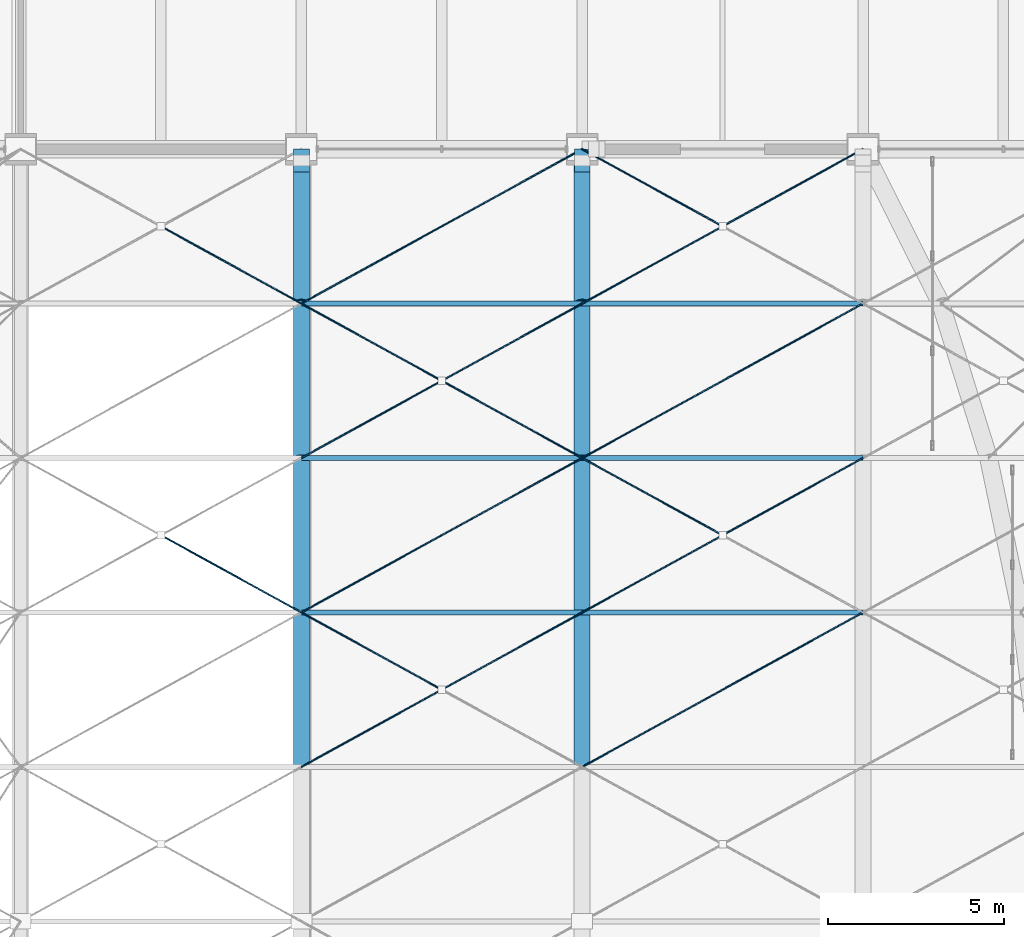
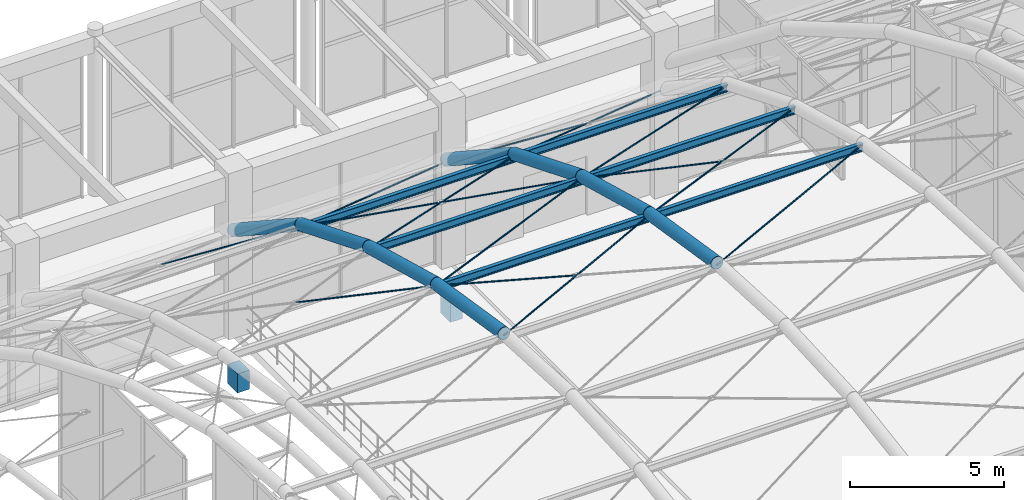
# One storey, part 61 of 163: 16 beams, 15 members.
"""IFC4 building model written with IfcOpenShell, lengths in metres."""

from ifc_helpers import new_model, si_unit, direction, frame, origin, origin_2d, place, context, subcontext, project, spatial, rectangle, circle, hollow_circle, i_section, extrude, material, material_profile, profile_set, type_object, element, save


model = new_model("IFC4")

# Units and contexts
model_context = context("Model", 3, precision=1e-05, world=origin(), true_north=direction((0.0, 1.0)))
body_context = subcontext(model_context, "Body", "Model", "MODEL_VIEW")
ifc_project = project(units=[si_unit("LENGTHUNIT", "METRE"), si_unit("AREAUNIT", "SQUARE_METRE"), si_unit("VOLUMEUNIT", "CUBIC_METRE"), si_unit("PLANEANGLEUNIT", "RADIAN"), si_unit("MASSUNIT", "GRAM", prefix="KILO")], contexts=[model_context])

# Site, building, storey
site_placement = place(None, origin())
site = spatial("IfcSite", under=ifc_project, at=site_placement, CompositionType="ELEMENT")
building_placement = place(site_placement, origin())
building = spatial("IfcBuilding", under=site, at=building_placement, Name="Varnabhumi Central Station", CompositionType="ELEMENT")
storey_placement = place(building_placement, frame((0.0, 0.0, 9.60009765625)))
storey = spatial("IfcBuildingStorey", under=building, at=storey_placement, Name="L02", CompositionType="ELEMENT", Elevation=9.60009765625)

# Beams
ifc_material_1 = material(Name="Structural steel E450", Category="steel")
ifc_material_profile_1 = material_profile(ifc_material_1, hollow_circle(Radius=0.228515625, WallThickness=0.01611328125, at=origin_2d()), Name="Structural steel E450", Category="steel")
ifc_profile_set_1 = profile_set([ifc_material_profile_1], Name="Structural steel E450")
beam_type_1 = type_object("IfcBeamType", Name="BM-ARCH-CHS457", PredefinedType="BEAM", material=ifc_profile_set_1)
beam_1_placement = place(storey_placement, frame((56.0, 62.39990234375, 10.520263671875), z_axis=(0.0, 0.987684638155, -0.156457839535), x_axis=(-1.0, 0.0, 0.0)))
element("IfcBeam", 1, at=beam_1_placement, inside=storey, type_object=beam_type_1, Name="Ticket Hall Vault Arch Rib 3 Seg 7", PredefinedType="BEAM", context=body_context, shape_type="SweptSolid", body=[
    extrude(hollow_circle(Radius=0.228515625, WallThickness=0.01611328125, at=origin_2d()), origin(), (0.0, 0.0, 1.0), 4.455078125),
])
beam_2_placement = place(storey_placement, frame((56.0, 66.800048828125, 9.8232421875), z_axis=(0.0, 0.965022848722, -0.262165789998), x_axis=(-1.0, 0.0, 0.0)))
element("IfcBeam", 2, at=beam_2_placement, inside=storey, type_object=beam_type_1, Name="Ticket Hall Vault Arch Rib 3 Seg 8", PredefinedType="BEAM", context=body_context, shape_type="SweptSolid", body=[
    extrude(hollow_circle(Radius=0.228515625, WallThickness=0.01611328125, at=origin_2d()), origin(), (0.0, 0.0, 1.0), 4.559326171875),
])
beam_3_placement = place(storey_placement, frame((56.0, 71.199951171875, 8.6279296875), z_axis=(0.0, 0.926804098242, -0.37554515505), x_axis=(-1.0, 0.0, 0.0)))
element("IfcBeam", 3, at=beam_3_placement, inside=storey, type_object=beam_type_1, Name="Ticket Hall Vault Arch Rib 3 Seg 9", PredefinedType="BEAM", context=body_context, shape_type="SweptSolid", body=[
    extrude(hollow_circle(Radius=0.228515625, WallThickness=0.01611328125, at=origin_2d()), origin(), (0.0, 0.0, 1.0), 4.74755859375),
])
beam_4_placement = place(storey_placement, frame((56.0, 75.60009765625, 6.844970703125), z_axis=(0.0, 0.835386835677, -0.549662473503), x_axis=(-1.0, 0.0, 0.0)))
element("IfcBeam", 4, at=beam_4_placement, inside=storey, type_object=beam_type_1, Name="Ticket Hall Vault Arch Rib 3 Seg 10", PredefinedType="BEAM", context=body_context, shape_type="SweptSolid", body=[
    extrude(hollow_circle(Radius=0.228515625, WallThickness=0.01611328125, at=origin_2d()), origin(), (0.0, 0.0, 1.0), 5.266845703125),
])
beam_5_placement = place(storey_placement, frame((64.0, 62.39990234375, 10.520263671875), z_axis=(0.0, 0.987684638155, -0.156457839535), x_axis=(-1.0, 0.0, 0.0)))
element("IfcBeam", 5, at=beam_5_placement, inside=storey, type_object=beam_type_1, Name="Ticket Hall Vault Arch Rib 4 Seg 7", PredefinedType="BEAM", context=body_context, shape_type="SweptSolid", body=[
    extrude(hollow_circle(Radius=0.228515625, WallThickness=0.01611328125, at=origin_2d()), origin(), (0.0, 0.0, 1.0), 4.455078125),
])
beam_6_placement = place(storey_placement, frame((64.0, 66.800048828125, 9.8232421875), z_axis=(0.0, 0.965022848722, -0.262165789998), x_axis=(-1.0, 0.0, 0.0)))
element("IfcBeam", 6, at=beam_6_placement, inside=storey, type_object=beam_type_1, Name="Ticket Hall Vault Arch Rib 4 Seg 8", PredefinedType="BEAM", context=body_context, shape_type="SweptSolid", body=[
    extrude(hollow_circle(Radius=0.228515625, WallThickness=0.01611328125, at=origin_2d()), origin(), (0.0, 0.0, 1.0), 4.559326171875),
])
beam_7_placement = place(storey_placement, frame((64.0, 71.199951171875, 8.6279296875), z_axis=(0.0, 0.926804098242, -0.37554515505), x_axis=(-1.0, 0.0, 0.0)))
element("IfcBeam", 7, at=beam_7_placement, inside=storey, type_object=beam_type_1, Name="Ticket Hall Vault Arch Rib 4 Seg 9", PredefinedType="BEAM", context=body_context, shape_type="SweptSolid", body=[
    extrude(hollow_circle(Radius=0.228515625, WallThickness=0.01611328125, at=origin_2d()), origin(), (0.0, 0.0, 1.0), 4.74755859375),
])
beam_8_placement = place(storey_placement, frame((64.0, 75.60009765625, 6.844970703125), z_axis=(0.0, 0.835386835677, -0.549662473503), x_axis=(-1.0, 0.0, 0.0)))
element("IfcBeam", 8, at=beam_8_placement, inside=storey, type_object=beam_type_1, Name="Ticket Hall Vault Arch Rib 4 Seg 10", PredefinedType="BEAM", context=body_context, shape_type="SweptSolid", body=[
    extrude(hollow_circle(Radius=0.228515625, WallThickness=0.01611328125, at=origin_2d()), origin(), (0.0, 0.0, 1.0), 5.266845703125),
])
ifc_material_2 = material(Name="Structural steel E350", Category="steel")
ifc_material_profile_2 = material_profile(ifc_material_2, i_section(OverallWidth=0.139892578125, OverallDepth=0.300048828125, WebThickness=0.0078125, FlangeThickness=0.01318359375, FilletRadius=0.013916015625, at=origin_2d()), Name="Structural steel E350", Category="steel")
ifc_profile_set_2 = profile_set([ifc_material_profile_2], Name="Structural steel E350")
beam_type_2 = type_object("IfcBeamType", Name="BM-PUR-ISMB300", PredefinedType="LINTEL", material=ifc_profile_set_2)
for number, where, z_axis, x_axis, name in (
    (9, (56.0, 66.800048828125, 9.67333984375), (1.0, 0.0, 0.0), (0.0, 1.0, 0.0), "Ticket Hall Vault Purlin B3-L7"),
    (10, (56.0, 71.199951171875, 8.477783203125), (1.0, 0.0, 0.0), (0.0, 1.0, 0.0), "Ticket Hall Vault Purlin B3-L8"),
    (11, (56.0, 75.60009765625, 6.695068359375), (1.0, 0.0, 0.0), (0.0, 1.0, 0.0), "Ticket Hall Vault Purlin B3-L9"),
    (12, (64.0, 66.800048828125, 9.67333984375), (1.0, 0.0, 0.0), (0.0, 1.0, 0.0), "Ticket Hall Vault Purlin B4-L7"),
    (13, (64.0, 71.199951171875, 8.477783203125), (1.0, 0.0, 0.0), (0.0, 1.0, 0.0), "Ticket Hall Vault Purlin B4-L8"),
    (14, (64.0, 75.60009765625, 6.695068359375), (1.0, 0.0, 0.0), (0.0, 1.0, 0.0), "Ticket Hall Vault Purlin B4-L9"),
):
    element("IfcBeam", number, at=place(storey_placement, frame(where, z_axis=z_axis, x_axis=x_axis)), inside=storey, type_object=beam_type_2, Name=name, PredefinedType="LINTEL", context=body_context, shape_type="SweptSolid", body=[
        extrude(i_section(OverallWidth=0.139892578125, OverallDepth=0.300048828125, WebThickness=0.0078125, FlangeThickness=0.01318359375, FilletRadius=0.013916015625, at=origin_2d()), origin(), (0.0, 0.0, 1.0), 8.0),
    ])
ifc_material_3 = material(Name="Concrete M40", Category="concrete")
ifc_material_profile_3 = material_profile(ifc_material_3, rectangle(XDim=0.449951171875, YDim=0.75, at=origin_2d()), Name="Concrete M40", Category="concrete")
ifc_profile_set_3 = profile_set([ifc_material_profile_3], Name="Concrete M40")
beam_type_3 = type_object("IfcBeamType", Name="BM-RC-450x750", PredefinedType="BEAM", material=ifc_profile_set_3)
for number, where, z_axis, x_axis, name in (
    (15, (56.0, 80.0, -1.675048828125), (0.0, -1.0, 0.0), (1.0, 0.0, 0.0), "Concourse Bridge 650mm Corbel Seat 56-N"),
    (16, (64.0, 80.0, -1.675048828125), (0.0, -1.0, 0.0), (1.0, 0.0, 0.0), "Concourse Bridge 650mm Corbel Seat 64-N"),
):
    element("IfcBeam", number, at=place(storey_placement, frame(where, z_axis=z_axis, x_axis=x_axis)), inside=storey, type_object=beam_type_3, Name=name, PredefinedType="BEAM", context=body_context, shape_type="SweptSolid", body=[
        extrude(rectangle(XDim=0.449951171875, YDim=0.75, at=origin_2d()), origin(), (0.0, 0.0, 1.0), 0.64990234375),
    ])

# Members
ifc_material_4 = material(Name="Spiral-strand steel S1570", Category="steel")
ifc_material_profile_4 = material_profile(ifc_material_4, circle(Radius=0.02099609375, at=origin_2d()), Name="Spiral-strand steel S1570", Category="steel")
ifc_profile_set_4 = profile_set([ifc_material_profile_4], Name="Spiral-strand steel S1570")
member_type = type_object("IfcMemberType", Name="MBR-CABLE-D42", PredefinedType="USERDEFINED", material=ifc_profile_set_4)
member_1_placement = place(storey_placement, frame((52.0, 69.0, 9.1455078125), z_axis=(0.868800425867, -0.477829628753, 0.1298640285), x_axis=(0.481910537812, 0.876220425204, 0.0)))
element("IfcMember", 17, at=member_1_placement, inside=storey, type_object=member_type, Name="Ticket Hall Vault Cable-Net Split Tie B2-P8B2", ObjectType="TENSION CABLE", PredefinedType="USERDEFINED", context=body_context, shape_type="SweptSolid", body=[
    extrude(circle(Radius=0.02099609375, at=origin_2d()), origin(), (0.0, 0.0, 1.0), 4.60400390625),
])
member_2_placement = place(storey_placement, frame((52.0, 77.800048828125, 5.3173828125), z_axis=(0.8352374511, -0.459370402335, 0.302253591771), x_axis=(0.481910537812, 0.876220425204, 0.0)))
element("IfcMember", 18, at=member_2_placement, inside=storey, type_object=member_type, Name="Ticket Hall Vault Cable-Net Split Tie B2-P10B2", ObjectType="TENSION CABLE", PredefinedType="USERDEFINED", context=body_context, shape_type="SweptSolid", body=[
    extrude(circle(Radius=0.02099609375, at=origin_2d()), origin(), (0.0, 0.0, 1.0), 4.7890625),
])
member_3_placement = place(storey_placement, frame((56.0, 62.39990234375, 10.440185546875), z_axis=(0.873668690933, 0.480533777365, -0.076094068723), x_axis=(-0.481931067474, 0.876209133828, 0.0)))
element("IfcMember", 19, at=member_3_placement, inside=storey, type_object=member_type, Name="Ticket Hall Vault Cable-Net Tie B3-P7A", ObjectType="TENSION CABLE", PredefinedType="USERDEFINED", context=body_context, shape_type="SweptSolid", body=[
    extrude(circle(Radius=0.02099609375, at=origin_2d()), origin(), (0.0, 0.0, 1.0), 9.15673828125),
])
member_4_placement = place(storey_placement, frame((56.0, 66.800048828125, 9.743408203125), z_axis=(0.87367988438, -0.480513271371, 0.076095043641), x_axis=(0.481910537812, 0.876220425204, 0.0)))
element("IfcMember", 20, at=member_4_placement, inside=storey, type_object=member_type, Name="Ticket Hall Vault Cable-Net Split Tie B3-P7B1", ObjectType="TENSION CABLE", PredefinedType="USERDEFINED", context=body_context, shape_type="SweptSolid", body=[
    extrude(circle(Radius=0.02099609375, at=origin_2d()), origin(), (0.0, 0.0, 1.0), 4.578369140625),
])
member_5_placement = place(storey_placement, frame((56.0, 66.800048828125, 9.743408203125), z_axis=(0.868803417008, 0.477831273844, -0.129837961825), x_axis=(-0.481910537812, 0.876220425204, 0.0)))
element("IfcMember", 21, at=member_5_placement, inside=storey, type_object=member_type, Name="Ticket Hall Vault Cable-Net Tie B3-P8A", ObjectType="TENSION CABLE", PredefinedType="USERDEFINED", context=body_context, shape_type="SweptSolid", body=[
    extrude(circle(Radius=0.02099609375, at=origin_2d()), origin(), (0.0, 0.0, 1.0), 9.2080078125),
])
member_6_placement = place(storey_placement, frame((56.0, 71.199951171875, 8.5478515625), z_axis=(0.859965363866, 0.472996696562, -0.19166037147), x_axis=(-0.481931067474, 0.876209133828, 0.0)))
element("IfcMember", 22, at=member_6_placement, inside=storey, type_object=member_type, Name="Ticket Hall Vault Cable-Net Tie B3-P9A", ObjectType="TENSION CABLE", PredefinedType="USERDEFINED", context=body_context, shape_type="SweptSolid", body=[
    extrude(circle(Radius=0.02099609375, at=origin_2d()), origin(), (0.0, 0.0, 1.0), 9.302734375),
])
for number, where, z_axis, x_axis, name in (
    (23, (56.0, 75.60009765625, 6.764892578125), (0.859950363032, -0.473014689432, 0.191683271838), (0.481951596342, 0.876197842262, 0.0), "Ticket Hall Vault Cable-Net Split Tie B3-P9B1"),
    (24, (60.0, 73.39990234375, 7.656494140625), (0.8599803643, -0.472978702558, 0.191637470096), (0.481910537812, 0.876220425204, 0.0), "Ticket Hall Vault Cable-Net Split Tie B3-P9B2"),
):
    element("IfcMember", number, at=place(storey_placement, frame(where, z_axis=z_axis, x_axis=x_axis)), inside=storey, type_object=member_type, Name=name, ObjectType="TENSION CABLE", PredefinedType="USERDEFINED", context=body_context, shape_type="SweptSolid", body=[
        extrude(circle(Radius=0.02099609375, at=origin_2d()), origin(), (0.0, 0.0, 1.0), 4.6513671875),
    ])
member_7_placement = place(storey_placement, frame((56.0, 75.60009765625, 6.764892578125), z_axis=(0.8352374511, 0.459370402335, -0.302253591771), x_axis=(-0.481910537812, 0.876220425204, 0.0)))
element("IfcMember", 25, at=member_7_placement, inside=storey, type_object=member_type, Name="Ticket Hall Vault Cable-Net Tie B3-P10A", ObjectType="TENSION CABLE", PredefinedType="USERDEFINED", context=body_context, shape_type="SweptSolid", body=[
    extrude(circle(Radius=0.02099609375, at=origin_2d()), origin(), (0.0, 0.0, 1.0), 9.578125),
])
member_8_placement = place(storey_placement, frame((64.0, 62.39990234375, 10.440185546875), z_axis=(0.873668690933, 0.480533777365, -0.076094068723), x_axis=(-0.481931067474, 0.876209133828, 0.0)))
element("IfcMember", 26, at=member_8_placement, inside=storey, type_object=member_type, Name="Ticket Hall Vault Cable-Net Tie B4-P7A", ObjectType="TENSION CABLE", PredefinedType="USERDEFINED", context=body_context, shape_type="SweptSolid", body=[
    extrude(circle(Radius=0.02099609375, at=origin_2d()), origin(), (0.0, 0.0, 1.0), 9.15673828125),
])
member_9_placement = place(storey_placement, frame((64.0, 66.800048828125, 9.743408203125), z_axis=(0.868803417008, 0.477831273844, -0.129837961825), x_axis=(-0.481910537812, 0.876220425204, 0.0)))
element("IfcMember", 27, at=member_9_placement, inside=storey, type_object=member_type, Name="Ticket Hall Vault Cable-Net Tie B4-P8A", ObjectType="TENSION CABLE", PredefinedType="USERDEFINED", context=body_context, shape_type="SweptSolid", body=[
    extrude(circle(Radius=0.02099609375, at=origin_2d()), origin(), (0.0, 0.0, 1.0), 9.2080078125),
])
member_10_placement = place(storey_placement, frame((64.0, 71.199951171875, 8.5478515625), z_axis=(0.86880640757, -0.477832918616, 0.129811894881), x_axis=(0.481910537812, 0.876220425204, 0.0)))
element("IfcMember", 28, at=member_10_placement, inside=storey, type_object=member_type, Name="Ticket Hall Vault Cable-Net Split Tie B4-P8B1", ObjectType="TENSION CABLE", PredefinedType="USERDEFINED", context=body_context, shape_type="SweptSolid", body=[
    extrude(circle(Radius=0.02099609375, at=origin_2d()), origin(), (0.0, 0.0, 1.0), 4.60400390625),
])
member_11_placement = place(storey_placement, frame((64.0, 71.199951171875, 8.5478515625), z_axis=(0.859965363866, 0.472996696562, -0.19166037147), x_axis=(-0.481931067474, 0.876209133828, 0.0)))
element("IfcMember", 29, at=member_11_placement, inside=storey, type_object=member_type, Name="Ticket Hall Vault Cable-Net Tie B4-P9A", ObjectType="TENSION CABLE", PredefinedType="USERDEFINED", context=body_context, shape_type="SweptSolid", body=[
    extrude(circle(Radius=0.02099609375, at=origin_2d()), origin(), (0.0, 0.0, 1.0), 9.302734375),
])
member_12_placement = place(storey_placement, frame((64.0, 75.60009765625, 6.764892578125), z_axis=(0.8352374511, 0.459370402335, -0.302253591771), x_axis=(-0.481910537812, 0.876220425204, 0.0)))
element("IfcMember", 30, at=member_12_placement, inside=storey, type_object=member_type, Name="Ticket Hall Vault Cable-Net Tie B4-P10A", ObjectType="TENSION CABLE", PredefinedType="USERDEFINED", context=body_context, shape_type="SweptSolid", body=[
    extrude(circle(Radius=0.02099609375, at=origin_2d()), origin(), (0.0, 0.0, 1.0), 9.578125),
])
member_13_placement = place(storey_placement, frame((64.0, 80.0, 3.869873046875), z_axis=(0.8352374511, -0.459370402335, 0.302253591771), x_axis=(0.481910537812, 0.876220425204, 0.0)))
element("IfcMember", 31, at=member_13_placement, inside=storey, type_object=member_type, Name="Ticket Hall Vault Cable-Net Split Tie B4-P10B1", ObjectType="TENSION CABLE", PredefinedType="USERDEFINED", context=body_context, shape_type="SweptSolid", body=[
    extrude(circle(Radius=0.02099609375, at=origin_2d()), origin(), (0.0, 0.0, 1.0), 4.7890625),
])

save(model, "model.ifc")
